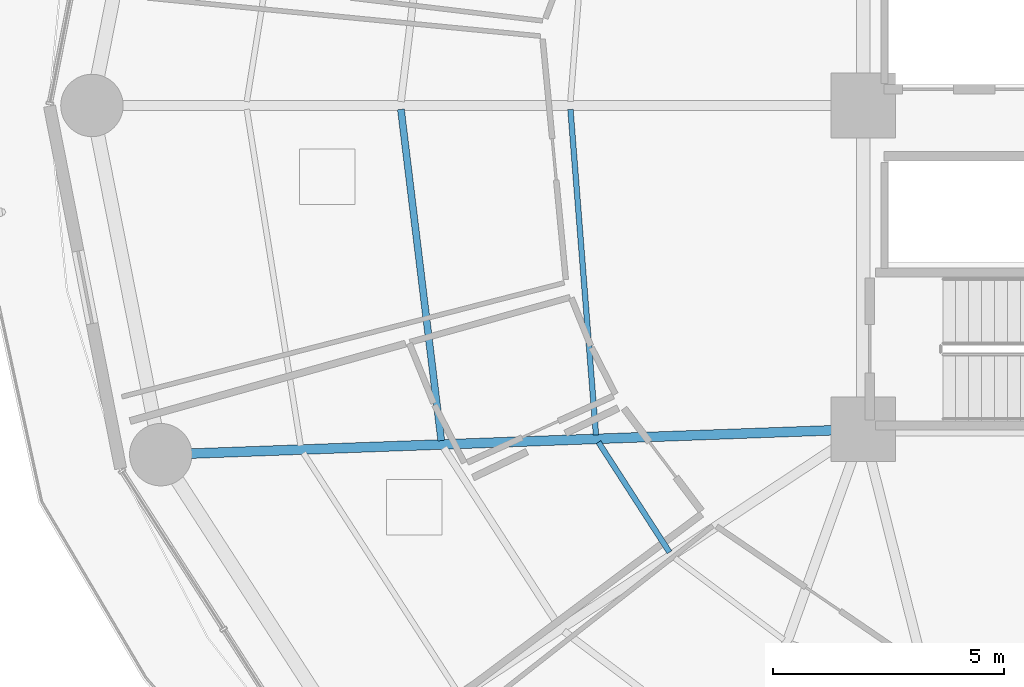
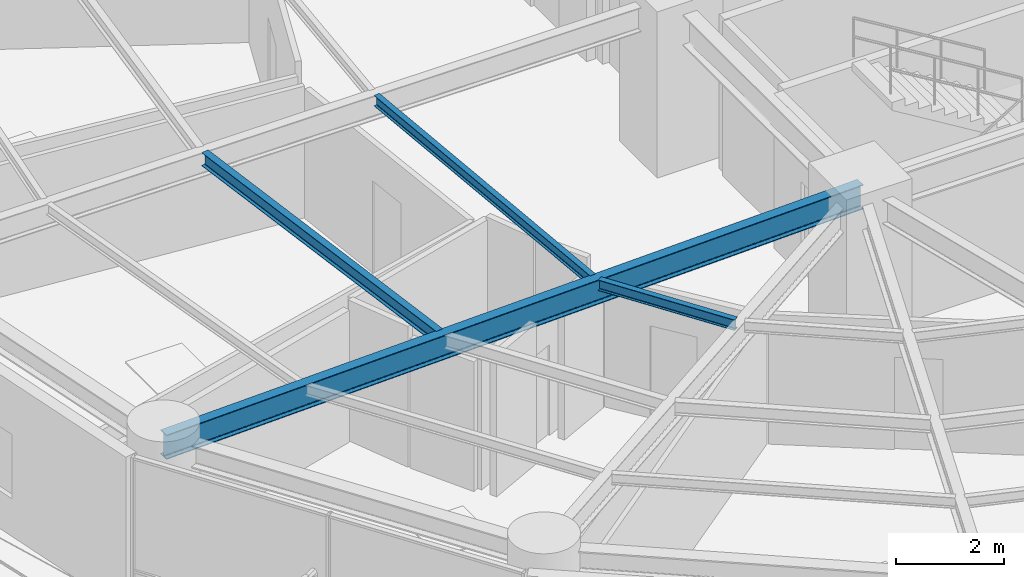
# One storey, part 7 of 36: 4 beams.
"""IFC4 building model written with IfcOpenShell, lengths in metres."""

from ifc_helpers import new_model, si_unit, direction, frame, origin, origin_2d, place, context, subcontext, project, spatial, i_section, extrude, material, material_profile, profile_set, type_object, element, save


model = new_model("IFC4")

# Units and contexts
model_context = context("Model", 3, precision=1e-05, world=origin(), true_north=direction((0.0, 1.0)))
body_context = subcontext(model_context, "Body", "Model", "MODEL_VIEW")
ifc_project = project(units=[si_unit("LENGTHUNIT", "METRE"), si_unit("AREAUNIT", "SQUARE_METRE"), si_unit("VOLUMEUNIT", "CUBIC_METRE"), si_unit("PLANEANGLEUNIT", "RADIAN"), si_unit("MASSUNIT", "GRAM", prefix="KILO")], contexts=[model_context])

# Site, building, storey
site_placement = place(None, origin())
site = spatial("IfcSite", under=ifc_project, at=site_placement, CompositionType="ELEMENT")
building_placement = place(site_placement, origin())
building = spatial("IfcBuilding", under=site, at=building_placement, Name="Kelanora Arch Commons", CompositionType="ELEMENT")
storey_placement = place(building_placement, frame((0.0, 0.0, 98.85009765625)))
storey = spatial("IfcBuildingStorey", under=building, at=storey_placement, Name="L25", CompositionType="ELEMENT", Elevation=98.85009765625)

# Beams
ifc_material = material(Name="Steel S355", Category="steel")
ifc_material_profile_1 = material_profile(ifc_material, i_section(OverallWidth=0.14990234375, OverallDepth=0.300048828125, WebThickness=0.007080078125, FlangeThickness=0.0107421875, FilletRadius=0.014892578125, at=origin_2d()), Name="IPE300")
ifc_profile_set_1 = profile_set([ifc_material_profile_1], Name="Steel S355")
beam_type_1 = type_object("IfcBeamType", Name="BM-JST-01", PredefinedType="JOIST", material=ifc_profile_set_1)
beam_1_placement = place(storey_placement, frame((56.002197265625, 57.91552734375, 3.33984375), z_axis=(0.120935645266, -0.992660349618, 0.0), x_axis=(0.992660349618, 0.120935645266, 0.0)))
element("IfcBeam", 1, at=beam_1_placement, inside=storey, type_object=beam_type_1, Name="Secondary Chord Joist BJB-18 L25", PredefinedType="JOIST", context=body_context, shape_type="SweptSolid", body=[
    extrude(i_section(OverallWidth=0.14990234375, OverallDepth=0.300048828125, WebThickness=0.007080078125, FlangeThickness=0.0107421875, FilletRadius=0.014892578125, at=origin_2d()), origin(), (0.0, 0.0, 1.0), 7.215087890625),
])
ifc_material_profile_2 = material_profile(ifc_material, i_section(OverallWidth=0.1201171875, OverallDepth=0.239990234375, WebThickness=0.006103515625, FlangeThickness=0.009765625, FilletRadius=0.014892578125, at=origin_2d()), Name="IPE240")
ifc_profile_set_2 = profile_set([ifc_material_profile_2], Name="Steel S355")
beam_type_2 = type_object("IfcBeamType", Name="BM-JST-02", PredefinedType="JOIST", material=ifc_profile_set_2)
beam_2_placement = place(storey_placement, frame((59.668212890625, 57.915283203125, 3.369873046875), z_axis=(0.078200677502, -0.996937637989, 0.0), x_axis=(0.996937637989, 0.078200677502, 0.0)))
element("IfcBeam", 2, at=beam_2_placement, inside=storey, type_object=beam_type_2, Name="Secondary Chord Joist BJA-18 L25", PredefinedType="JOIST", context=body_context, shape_type="SweptSolid", body=[
    extrude(i_section(OverallWidth=0.1201171875, OverallDepth=0.239990234375, WebThickness=0.006103515625, FlangeThickness=0.009765625, FilletRadius=0.014892578125, at=origin_2d()), origin(), (0.0, 0.0, 1.0), 7.06201171875),
])
beam_3_placement = place(storey_placement, frame((60.273193359375, 50.718994140625, 3.369873046875), z_axis=(0.542211255502, -0.840242199849, 0.0), x_axis=(0.840242199849, 0.542211255502, 0.0)))
element("IfcBeam", 3, at=beam_3_placement, inside=storey, type_object=beam_type_2, Name="Secondary Chord Joist BJA-20 L25", PredefinedType="JOIST", context=body_context, shape_type="SweptSolid", body=[
    extrude(i_section(OverallWidth=0.1201171875, OverallDepth=0.239990234375, WebThickness=0.006103515625, FlangeThickness=0.009765625, FilletRadius=0.014892578125, at=origin_2d()), origin(), (0.0, 0.0, 1.0), 2.83349609375),
])
ifc_material_profile_3 = material_profile(ifc_material, i_section(OverallWidth=0.2099609375, OverallDepth=0.550048828125, WebThickness=0.010986328125, FlangeThickness=0.01708984375, FilletRadius=0.02392578125, at=origin_2d()), Name="IPE550")
ifc_profile_set_3 = profile_set([ifc_material_profile_3], Name="Steel S355")
beam_type_3 = type_object("IfcBeamType", Name="BM-RAD-Z2", PredefinedType="BEAM", material=ifc_profile_set_3)
beam_4_placement = place(storey_placement, frame((66.0, 51.0, 3.21484375), z_axis=(-0.999341087625, -0.036295875581, 0.0), x_axis=(0.036295875581, -0.999341087625, 0.0)))
element("IfcBeam", 4, at=beam_4_placement, inside=storey, type_object=beam_type_3, Name="Radial Floor Girder BR-20 L25", PredefinedType="BEAM", context=body_context, shape_type="SweptSolid", body=[
    extrude(i_section(OverallWidth=0.2099609375, OverallDepth=0.550048828125, WebThickness=0.010986328125, FlangeThickness=0.01708984375, FilletRadius=0.02392578125, at=origin_2d()), origin(), (0.0, 0.0, 1.0), 15.20166015625),
])

save(model, "model.ifc")
